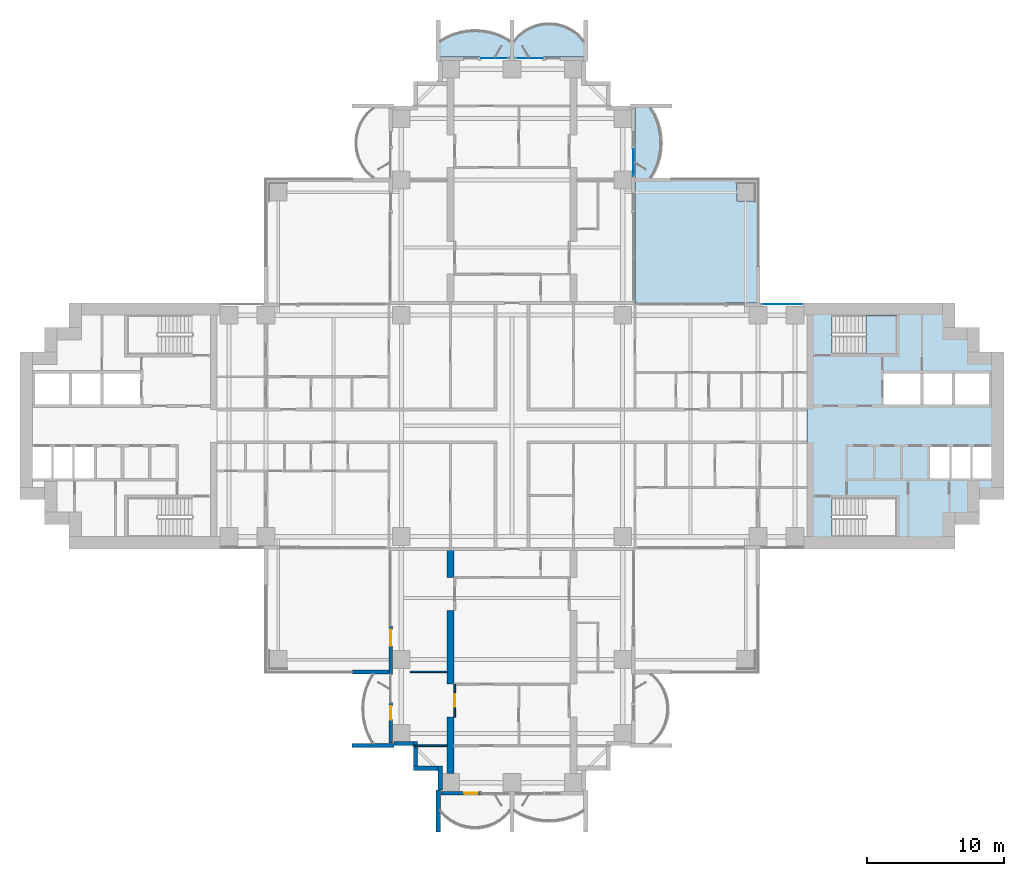
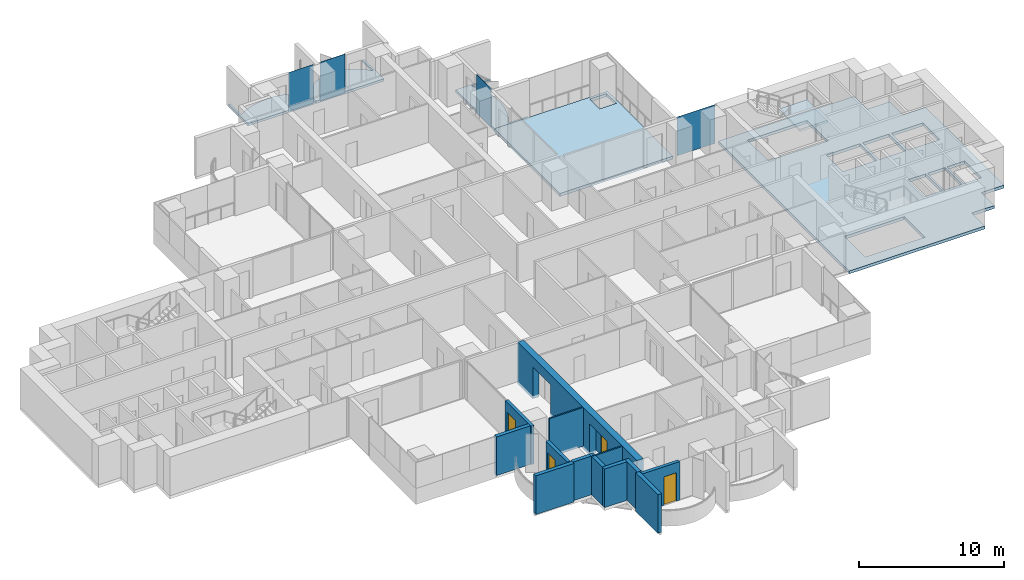
# One storey, part 9 of 20: 14 walls, 6 slabs, 4 doors, 4 plates, 4 openings, 5 elements without a shape of their own.
"""IFC4 building model written with IfcOpenShell, lengths in metres."""

from ifc_helpers import new_model, si_unit, direction, frame, frame_2d, origin, origin_2d, place, context, subcontext, project, spatial, polyline, rectangle, outline, extrude, material, layer, layer_set, material_profile, profile_set, type_object, element, fill, aggregate, save


model = new_model("IFC4")

# Units and contexts
model_context = context("Model", 3, precision=1e-05, world=origin(), true_north=direction((0.0, 1.0)))
body_context = subcontext(model_context, "Body", "Model", "MODEL_VIEW")
ifc_project = project(units=[si_unit("LENGTHUNIT", "METRE"), si_unit("AREAUNIT", "SQUARE_METRE"), si_unit("VOLUMEUNIT", "CUBIC_METRE"), si_unit("PLANEANGLEUNIT", "RADIAN"), si_unit("MASSUNIT", "GRAM", prefix="KILO")], contexts=[model_context])

# Site, building, storey
site_placement = place(None, origin())
site = spatial("IfcSite", under=ifc_project, at=site_placement, CompositionType="ELEMENT")
building_placement = place(site_placement, origin())
building = spatial("IfcBuilding", under=site, at=building_placement, Name="Perihelion Cross Residences", CompositionType="ELEMENT")
storey_placement = place(building_placement, frame((0.0, 0.0, 82.0)))
storey = spatial("IfcBuildingStorey", under=building, at=storey_placement, Name="L18", CompositionType="ELEMENT", Elevation=82.0)

# Slabs
ifc_material_1 = material(Name="Concrete C40/50", Category="concrete")
ifc_layer_1 = layer(ifc_material_1, 0.199951171875)
ifc_layer_set_1 = layer_set([ifc_layer_1], Name="Balcony slab 200")
slab_type_1 = type_object("IfcSlabType", Name="Balcony slab 200", PredefinedType="FLOOR", material=ifc_layer_set_1)
slab_1_placement = place(storey_placement, frame((0.0, 0.0, -0.199951171875)))
element("IfcSlab", 1, at=slab_1_placement, inside=storey, type_object=slab_type_1, Name="Slab BK1 L18 north side east bay 2 balcony", PredefinedType="FLOOR", context=body_context, shape_type="SweptSolid", body=[
    extrude(outline(polyline([(9.0, 18.0), (9.0, 23.39990234375), (11.699951171875, 23.39990234375), (11.699951171875, 23.25), (10.199951171875, 23.25), (10.4853515625, 22.739990234375), (10.694580078125, 22.22998046875), (10.838134765625, 21.719970703125), (10.92236328125, 21.2099609375), (10.949951171875, 20.699951171875), (10.92236328125, 20.18994140625), (10.838134765625, 19.679931640625), (10.694580078125, 19.169921875), (10.4853515625, 18.659912109375), (10.199951171875, 18.14990234375), (11.699951171875, 18.14990234375), (11.699951171875, 18.0), (9.0, 18.0)])), origin(), (0.0, 0.0, 1.0), 0.199951171875),
])
slab_2_placement = place(storey_placement, frame((0.0, 0.0, -0.199951171875)))
element("IfcSlab", 2, at=slab_2_placement, inside=storey, type_object=slab_type_1, Name="Slab BK1 L18 north tip north bay 1 balcony", PredefinedType="FLOOR", context=body_context, shape_type="SweptSolid", body=[
    extrude(outline(polyline([(5.39990234375, 27.0), (0.0, 27.0), (0.0, 29.699951171875), (0.14990234375, 29.699951171875), (0.14990234375, 28.199951171875), (0.542236328125, 28.622314453125), (0.9345703125, 28.924072265625), (1.326904296875, 29.143310546875), (1.71923828125, 29.29736328125), (2.111572265625, 29.39599609375), (2.50390625, 29.444091796875), (2.896240234375, 29.444091796875), (3.28857421875, 29.39599609375), (3.6806640625, 29.29736328125), (4.072998046875, 29.143310546875), (4.46533203125, 28.924072265625), (4.857666015625, 28.622314453125), (5.25, 28.199951171875), (5.25, 29.699951171875), (5.39990234375, 29.699951171875), (5.39990234375, 27.0)])), origin(), (0.0, 0.0, 1.0), 0.199951171875),
])
slab_3_placement = place(storey_placement, frame((0.0, 0.0, -0.199951171875)))
element("IfcSlab", 3, at=slab_3_placement, inside=storey, type_object=slab_type_1, Name="Slab BK1 L18 north tip north bay 2 balcony", PredefinedType="FLOOR", context=body_context, shape_type="SweptSolid", body=[
    extrude(outline(polyline([(0.0, 27.0), (-5.39990234375, 27.0), (-5.39990234375, 29.699951171875), (-5.25, 29.699951171875), (-5.25, 28.199951171875), (-4.739990234375, 28.4853515625), (-4.22998046875, 28.694580078125), (-3.719970703125, 28.838134765625), (-3.2099609375, 28.92236328125), (-2.699951171875, 28.949951171875), (-2.18994140625, 28.92236328125), (-1.679931640625, 28.838134765625), (-1.169921875, 28.694580078125), (-0.659912109375, 28.4853515625), (-0.14990234375, 28.199951171875), (-0.14990234375, 29.699951171875), (0.0, 29.699951171875), (0.0, 27.0)])), origin(), (0.0, 0.0, 1.0), 0.199951171875),
])

# Curtain wall, plate
ifc_material_2 = material(Name="Bronze anodised aluminium, tinted glazing", Category="aluminium")
curtain_wall_type = type_object("IfcCurtainWallType", Name="CW1", PredefinedType="NOTDEFINED", material=ifc_material_2)
curtain_wall_1_placement = place(storey_placement, origin())
curtain_wall_1 = element("IfcCurtainWall", 4, at=curtain_wall_1_placement, inside=storey, type_object=curtain_wall_type, Name="Curtain wall CW1 L18 east side north bay 1", PredefinedType="NOTDEFINED")
ifc_material_3 = material(Name="Tinted laminated glass", Category="glass")
ifc_layer_2 = layer(ifc_material_3, 0.028076171875)
ifc_layer_set_2 = layer_set([ifc_layer_2], Name="CW1 panel")
plate_type = type_object("IfcPlateType", Name="CW1 panel", PredefinedType="CURTAIN_PANEL", material=ifc_layer_set_2)
plate_1_placement = place(storey_placement, frame((19.77490234375, 8.89990234375, 0.0), z_axis=(0.0, 0.0, 1.0), x_axis=(-1.0, 0.0, 0.0)))
plate_1 = element("IfcPlate", 5, at=plate_1_placement, type_object=plate_type, Name="CW1 panel 1", PredefinedType="CURTAIN_PANEL", context=body_context, shape_type="SweptSolid", body=[
    extrude(rectangle(XDim=3.030029296875, YDim=0.028076171875, at=origin_2d()), origin(), (0.0, 0.0, 1.0), 3.25),
])
aggregate(curtain_wall_1, [plate_1])

curtain_wall_2_placement = place(storey_placement, origin())
curtain_wall_2 = element("IfcCurtainWall", 6, at=curtain_wall_2_placement, inside=storey, type_object=curtain_wall_type, Name="Curtain wall CW1 L18 north side east bay 2", PredefinedType="NOTDEFINED")
plate_2_placement = place(storey_placement, frame((8.89990234375, 19.2548828125, 0.0), z_axis=(0.0, 0.0, 1.0), x_axis=(0.0, 1.0, 0.0)))
plate_2 = element("IfcPlate", 7, at=plate_2_placement, type_object=plate_type, Name="CW1 panel 1", PredefinedType="CURTAIN_PANEL", context=body_context, shape_type="SweptSolid", body=[
    extrude(rectangle(XDim=1.989990234375, YDim=0.028076171875, at=origin_2d()), origin(), (0.0, 0.0, 1.0), 3.25),
])
aggregate(curtain_wall_2, [plate_2])

curtain_wall_3_placement = place(storey_placement, origin())
curtain_wall_3 = element("IfcCurtainWall", 8, at=curtain_wall_3_placement, inside=storey, type_object=curtain_wall_type, Name="Curtain wall CW1 L18 north tip north bay 1", PredefinedType="NOTDEFINED")
plate_3_placement = place(storey_placement, frame((1.2548828125, 26.89990234375, 0.0), z_axis=(0.0, 0.0, 1.0), x_axis=(-1.0, 0.0, 0.0)))
plate_3 = element("IfcPlate", 9, at=plate_3_placement, type_object=plate_type, Name="CW1 panel 1", PredefinedType="CURTAIN_PANEL", context=body_context, shape_type="SweptSolid", body=[
    extrude(rectangle(XDim=1.989990234375, YDim=0.028076171875, at=origin_2d()), origin(), (0.0, 0.0, 1.0), 3.25),
])
aggregate(curtain_wall_3, [plate_3])

curtain_wall_4_placement = place(storey_placement, origin())
curtain_wall_4 = element("IfcCurtainWall", 10, at=curtain_wall_4_placement, inside=storey, type_object=curtain_wall_type, Name="Curtain wall CW1 L18 north tip north bay 2", PredefinedType="NOTDEFINED")
plate_4_placement = place(storey_placement, frame((-1.2548828125, 26.89990234375, 0.0), z_axis=(0.0, 0.0, 1.0), x_axis=(-1.0, 0.0, 0.0)))
plate_4 = element("IfcPlate", 11, at=plate_4_placement, type_object=plate_type, Name="CW1 panel 1", PredefinedType="CURTAIN_PANEL", context=body_context, shape_type="SweptSolid", body=[
    extrude(rectangle(XDim=1.989990234375, YDim=0.028076171875, at=origin_2d()), origin(), (0.0, 0.0, 1.0), 3.25),
])
aggregate(curtain_wall_4, [plate_4])

# Slabs
ifc_material_4 = material(Name="Concrete C40/50", Category="concrete")
ifc_layer_3 = layer(ifc_material_4, 0.25)
ifc_layer_set_3 = layer_set([ifc_layer_3], Name="Core floor slab 250")
slab_type_2 = type_object("IfcSlabType", Name="Core floor slab 250", PredefinedType="FLOOR", material=ifc_layer_set_3)
slab_4_placement = place(storey_placement, frame((0.0, 0.0, -0.25)))
element("IfcSlab", 12, at=slab_4_placement, inside=storey, type_object=slab_type_2, Name="East core floor slab", PredefinedType="FLOOR", context=body_context, shape_type="SweptSolid", body=[
    extrude(outline(polyline([(32.39990234375, 7.199951171875), (34.199951171875, 7.199951171875), (34.199951171875, 5.39990234375), (36.0, 5.39990234375), (36.0, -5.39990234375), (34.199951171875, -5.39990234375), (34.199951171875, -7.199951171875), (32.39990234375, -7.199951171875), (32.39990234375, -9.0), (21.60009765625, -9.0), (21.60009765625, 9.0), (32.39990234375, 9.0), (32.39990234375, 7.199951171875)]), holes=[polyline([(23.405029296875, -8.10009765625), (28.14990234375, -8.10009765625), (28.14990234375, -5.25), (23.405029296875, -5.25), (23.405029296875, -8.10009765625)]), polyline([(30.60009765625, -1.550048828125), (30.60009765625, -3.85009765625), (32.0, -3.85009765625), (32.0, -1.550048828125), (30.60009765625, -1.550048828125)]), polyline([(32.14990234375, -1.550048828125), (32.14990234375, -3.85009765625), (33.550048828125, -3.85009765625), (33.550048828125, -1.550048828125), (32.14990234375, -1.550048828125)]), polyline([(33.699951171875, -1.550048828125), (33.699951171875, -3.85009765625), (35.10009765625, -3.85009765625), (35.10009765625, -1.550048828125), (33.699951171875, -1.550048828125)]), polyline([(27.199951171875, 3.85009765625), (27.199951171875, 1.550048828125), (29.89990234375, 1.550048828125), (29.89990234375, 3.85009765625), (27.199951171875, 3.85009765625)]), polyline([(30.10009765625, 3.85009765625), (30.10009765625, 1.550048828125), (32.199951171875, 1.550048828125), (32.199951171875, 3.85009765625), (30.10009765625, 3.85009765625)]), polyline([(32.39990234375, 3.85009765625), (32.39990234375, 1.550048828125), (34.89990234375, 1.550048828125), (34.89990234375, 3.85009765625), (32.39990234375, 3.85009765625)]), polyline([(23.405029296875, 5.25), (28.14990234375, 5.25), (28.14990234375, 8.10009765625), (23.405029296875, 8.10009765625), (23.405029296875, 5.25)])]), origin(), (0.0, 0.0, 1.0), 0.25),
])
ifc_material_5 = material(Name="Concrete C40/50", Category="concrete")
ifc_layer_4 = layer(ifc_material_5, 0.25)
ifc_layer_set_4 = layer_set([ifc_layer_4], Name="Corner terrace slab")
slab_type_3 = type_object("IfcSlabType", Name="Corner terrace slab", PredefinedType="FLOOR", material=ifc_layer_set_4)
slab_5_placement = place(storey_placement, frame((0.0, 0.0, -0.25)))
element("IfcSlab", 13, at=slab_5_placement, inside=storey, type_object=slab_type_3, Name="Slab BK2 L18 pocket north-east", PredefinedType="FLOOR", context=body_context, shape_type="SweptSolid", body=[
    extrude(outline(polyline([(18.0, 9.0), (18.0, 18.0), (9.0, 18.0), (9.0, 9.0), (18.0, 9.0)]), holes=[polyline([(16.449951171875, 16.449951171875), (16.449951171875, 17.7900390625), (17.7900390625, 17.7900390625), (17.7900390625, 16.409912109375), (17.75, 16.409912109375), (17.75, 16.449951171875), (16.449951171875, 16.449951171875)])]), origin(), (0.0, 0.0, 1.0), 0.25),
])

# Stair, slab
ifc_material_6 = material(Name="Concrete C40/50", Category="concrete")
stair_type = type_object("IfcStairType", Name="Exit stair, half-turn", PredefinedType="HALF_TURN_STAIR", material=ifc_material_6)
stair_placement = place(storey_placement, origin())
stair = element("IfcStair", 14, at=stair_placement, inside=storey, type_object=stair_type, Name="L18 East core exit stair 1", PredefinedType="HALF_TURN_STAIR")
ifc_material_7 = material(Name="Concrete C40/50", Category="concrete")
ifc_layer_5 = layer(ifc_material_7, 0.199951171875)
ifc_layer_set_5 = layer_set([ifc_layer_5], Name="Exit stair landing 200")
slab_type_4 = type_object("IfcSlabType", Name="Exit stair landing 200", PredefinedType="LANDING", material=ifc_layer_set_5)
slab_6_placement = place(storey_placement, frame((0.0, 0.0, 1.550048828125)))
slab_6 = element("IfcSlab", 15, at=slab_6_placement, type_object=slab_type_4, Name="ST-E1 landing 1", PredefinedType="LANDING", context=body_context, shape_type="SweptSolid", body=[
    extrude(outline(polyline([(25.919921875, 5.25), (28.14990234375, 5.25), (28.14990234375, 8.10009765625), (25.919921875, 8.10009765625), (25.919921875, 5.25)])), origin(), (0.0, 0.0, 1.0), 0.199951171875),
])
aggregate(stair, [slab_6])

# Wall, opening, door
ifc_material_8 = material(Name="Concrete C30/37, bronze-clad", Category="concrete")
ifc_layer_6 = layer(ifc_material_8, 0.25)
ifc_layer_set_6 = layer_set([ifc_layer_6], Name="Bronze-clad pier wall 250")
wall_type_1 = type_object("IfcWallType", Name="Bronze-clad pier wall 250", PredefinedType="SOLIDWALL", material=ifc_layer_set_6)
wall_1_placement = place(storey_placement, frame((-8.875, -14.64990234375, 0.0), z_axis=(0.0, 0.0, 1.0), x_axis=(0.0, -1.0, 0.0)))
wall_1 = element("IfcWall", 16, at=wall_1_placement, inside=storey, type_object=wall_type_1, Name="Wall FW1 L18 south side west bay 1 pier", PredefinedType="SOLIDWALL", context=body_context, shape_type="SweptSolid", body=[
    extrude(rectangle(XDim=3.550048828125, YDim=0.25, at=frame_2d((1.77490234375, 0.0))), origin(), (0.0, 0.0, 1.0), 3.25),
])
opening_1_placement = place(wall_1_placement, frame((0.25, 0.0, 0.0)))
opening_1 = element("IfcOpeningElement", 17, at=opening_1_placement, cuts=wall_1, Name="Opening L18.E10", PredefinedType="OPENING", context=body_context, shape_type="SweptSolid", body=[
    extrude(rectangle(XDim=1.199951171875, YDim=2.39990234375, at=frame_2d((0.60009765625, 1.199951171875))), frame((0.0, 0.135009765625, 0.0), z_axis=(0.0, -1.0, 0.0), x_axis=(1.0, 0.0, 0.0)), (0.0, 0.0, 1.0), 0.27001953125),
])
ifc_material_9 = material(Name="Bronze anodised aluminium, glazed", Category="aluminium")
door_type_1 = type_object("IfcDoorType", Name="Balcony door 1200 x 2400", OperationType="NOTDEFINED", PredefinedType="DOOR", material=ifc_material_9)
door_1_placement = place(opening_1_placement, origin())
door_1 = element("IfcDoor", 18, at=door_1_placement, inside=storey, type_object=door_type_1, Name="Door L18.E10 south side west bay 1", OperationType="SINGLE_SWING_LEFT", OverallHeight=2.39990234375, OverallWidth=1.199951171875, PredefinedType="DOOR", context=body_context, shape_type="SweptSolid", body=[
    extrude(rectangle(XDim=1.199951171875, YDim=2.39990234375, at=frame_2d((0.60009765625, 1.199951171875))), frame((0.0, 0.02490234375, 0.0), z_axis=(0.0, -1.0, 0.0), x_axis=(1.0, 0.0, 0.0)), (0.0, 0.0, 1.0), 0.050048828125),
])
fill(opening_1, door_1)

wall_2_placement = place(storey_placement, frame((-8.875, -20.25, 0.0), z_axis=(0.0, 0.0, 1.0), x_axis=(0.0, -1.0, 0.0)))
wall_2 = element("IfcWall", 19, at=wall_2_placement, inside=storey, type_object=wall_type_1, Name="Wall FW1 L18 south side west bay 2 pier", PredefinedType="SOLIDWALL", context=body_context, shape_type="SweptSolid", body=[
    extrude(rectangle(XDim=2.949951171875, YDim=0.25, at=frame_2d((1.47509765625, 0.0))), origin(), (0.0, 0.0, 1.0), 3.25),
])
opening_2_placement = place(wall_2_placement, frame((0.25, 0.0, 0.0)))
opening_2 = element("IfcOpeningElement", 20, at=opening_2_placement, cuts=wall_2, Name="Opening L18.E11", PredefinedType="OPENING", context=body_context, shape_type="SweptSolid", body=[
    extrude(rectangle(XDim=1.0, YDim=2.39990234375, at=frame_2d((0.5, 1.199951171875))), frame((0.0, 0.135009765625, 0.0), z_axis=(0.0, -1.0, 0.0), x_axis=(1.0, 0.0, 0.0)), (0.0, 0.0, 1.0), 0.27001953125),
])
ifc_material_10 = material(Name="Bronze anodised aluminium, glazed", Category="aluminium")
door_type_2 = type_object("IfcDoorType", Name="Balcony door 1000 x 2400", OperationType="NOTDEFINED", PredefinedType="DOOR", material=ifc_material_10)
door_2_placement = place(opening_2_placement, origin())
door_2 = element("IfcDoor", 21, at=door_2_placement, inside=storey, type_object=door_type_2, Name="Door L18.E11 south side west bay 2", OperationType="SINGLE_SWING_RIGHT", OverallHeight=2.39990234375, OverallWidth=1.0, PredefinedType="DOOR", context=body_context, shape_type="SweptSolid", body=[
    extrude(rectangle(XDim=1.0, YDim=2.39990234375, at=frame_2d((0.5, 1.199951171875))), frame((0.0, 0.02490234375, 0.0), z_axis=(0.0, -1.0, 0.0), x_axis=(1.0, 0.0, 0.0)), (0.0, 0.0, 1.0), 0.050048828125),
])
fill(opening_2, door_2)

wall_3_placement = place(storey_placement, frame((-5.199951171875, -26.875, 0.0), z_axis=(0.0, 0.0, 1.0), x_axis=(1.0, 0.0, 0.0)))
wall_3 = element("IfcWall", 22, at=wall_3_placement, inside=storey, type_object=wall_type_1, Name="Wall FW1 L18 south tip south bay 1 pier", PredefinedType="SOLIDWALL", context=body_context, shape_type="SweptSolid", body=[
    extrude(rectangle(XDim=2.949951171875, YDim=0.25, at=frame_2d((1.47509765625, 0.0))), origin(), (0.0, 0.0, 1.0), 3.25),
])
opening_3_placement = place(wall_3_placement, frame((1.699951171875, 0.0, 0.0)))
opening_3 = element("IfcOpeningElement", 23, at=opening_3_placement, cuts=wall_3, Name="Opening L18.E12", PredefinedType="OPENING", context=body_context, shape_type="SweptSolid", body=[
    extrude(rectangle(XDim=1.0, YDim=2.39990234375, at=frame_2d((0.5, 1.199951171875))), frame((0.0, 0.135009765625, 0.0), z_axis=(0.0, -1.0, 0.0), x_axis=(1.0, 0.0, 0.0)), (0.0, 0.0, 1.0), 0.27001953125),
])
door_3_placement = place(opening_3_placement, origin())
door_3 = element("IfcDoor", 24, at=door_3_placement, inside=storey, type_object=door_type_2, Name="Door L18.E12 south tip south bay 1", OperationType="SINGLE_SWING_LEFT", OverallHeight=2.39990234375, OverallWidth=1.0, PredefinedType="DOOR", context=body_context, shape_type="SweptSolid", body=[
    extrude(rectangle(XDim=1.0, YDim=2.39990234375, at=frame_2d((0.5, 1.199951171875))), frame((0.0, 0.02490234375, 0.0), z_axis=(0.0, -1.0, 0.0), x_axis=(1.0, 0.0, 0.0)), (0.0, 0.0, 1.0), 0.050048828125),
])
fill(opening_3, door_3)

# Walls
ifc_material_11 = material(Name="Concrete C30/37, bronze-clad", Category="concrete")
ifc_layer_7 = layer(ifc_material_11, 0.300048828125)
ifc_layer_set_7 = layer_set([ifc_layer_7], Name="Bronze-clad serration wall 300")
wall_type_2 = type_object("IfcWallType", Name="Bronze-clad serration wall 300", PredefinedType="SOLIDWALL", material=ifc_layer_set_7)
wall_4_placement = place(storey_placement, frame((-8.64990234375, -23.25, 0.0), z_axis=(0.0, 0.0, 1.0), x_axis=(1.0, 0.0, 0.0)))
element("IfcWall", 25, at=wall_4_placement, inside=storey, type_object=wall_type_2, Name="Wall SR1 L18 south corner south-west 1", PredefinedType="SOLIDWALL", context=body_context, shape_type="SweptSolid", body=[
    extrude(rectangle(XDim=1.449951171875, YDim=0.300048828125, at=frame_2d((0.72509765625, 0.0))), origin(), (0.0, 0.0, 1.0), 3.25),
])
wall_5_placement = place(storey_placement, frame((-7.050048828125, -23.10009765625, 0.0), z_axis=(0.0, 0.0, 1.0), x_axis=(0.0, -1.0, 0.0)))
element("IfcWall", 26, at=wall_5_placement, inside=storey, type_object=wall_type_2, Name="Wall SR1 L18 south corner south-west 2", PredefinedType="SOLIDWALL", context=body_context, shape_type="SweptSolid", body=[
    extrude(rectangle(XDim=1.7998046875, YDim=0.300048828125, at=frame_2d((0.89990234375, 0.0))), origin(), (0.0, 0.0, 1.0), 3.25),
])
wall_6_placement = place(storey_placement, frame((-7.199951171875, -25.050048828125, 0.0), z_axis=(0.0, 0.0, 1.0), x_axis=(1.0, 0.0, 0.0)))
element("IfcWall", 27, at=wall_6_placement, inside=storey, type_object=wall_type_2, Name="Wall SR1 L18 south corner south-west 3", PredefinedType="SOLIDWALL", context=body_context, shape_type="SweptSolid", body=[
    extrude(rectangle(XDim=1.800048828125, YDim=0.300048828125, at=frame_2d((0.89990234375, 0.0))), origin(), (0.0, 0.0, 1.0), 3.25),
])
wall_7_placement = place(storey_placement, frame((-5.25, -24.89990234375, 0.0), z_axis=(0.0, 0.0, 1.0), x_axis=(0.0, -1.0, 0.0)))
element("IfcWall", 28, at=wall_7_placement, inside=storey, type_object=wall_type_2, Name="Wall SR1 L18 south corner south-west 4", PredefinedType="SOLIDWALL", context=body_context, shape_type="SweptSolid", body=[
    extrude(rectangle(XDim=1.75, YDim=0.300048828125, at=frame_2d((0.875, 0.0))), origin(), (0.0, 0.0, 1.0), 3.25),
])

# Wall, opening, door
ifc_material_12 = material(Name="Plasterboard partition")
ifc_layer_8 = layer(ifc_material_12, 0.1201171875)
ifc_layer_set_8 = layer_set([ifc_layer_8], Name="Infill panel 120")
wall_type_3 = type_object("IfcWallType", Name="Infill panel 120", PredefinedType="PARTITIONING", material=ifc_layer_set_8)
wall_8_placement = place(storey_placement, frame((-4.18994140625, -18.89990234375, 0.0), z_axis=(0.0, 0.0, 1.0), x_axis=(0.0, -1.0, 0.0)))
wall_8 = element("IfcWall", 29, at=wall_8_placement, inside=storey, type_object=wall_type_3, Name="Partition L18 WI08", PredefinedType="PARTITIONING", context=body_context, shape_type="SweptSolid", body=[
    extrude(rectangle(XDim=2.400146484375, YDim=0.1201171875, at=frame_2d((1.2001953125, 0.0))), origin(), (0.0, 0.0, 1.0), 2.39990234375),
])
opening_4_placement = place(wall_8_placement, frame((0.75, 0.0, 0.0)))
opening_4 = element("IfcOpeningElement", 30, at=opening_4_placement, cuts=wall_8, Name="Opening L18.A56", PredefinedType="OPENING", context=body_context, shape_type="SweptSolid", body=[
    extrude(rectangle(XDim=0.89990234375, YDim=2.10009765625, at=frame_2d((0.449951171875, 1.050048828125))), frame((0.0, 0.070068359375, 0.0), z_axis=(0.0, -1.0, 0.0), x_axis=(1.0, 0.0, 0.0)), (0.0, 0.0, 1.0), 0.14013671875),
])
ifc_material_13 = material(Name="Timber door leaf", Category="wood")
door_type_3 = type_object("IfcDoorType", Name="Interior room door 900 x 2100", OperationType="SINGLE_SWING_LEFT", PredefinedType="DOOR", material=ifc_material_13)
door_4_placement = place(opening_4_placement, origin())
door_4 = element("IfcDoor", 31, at=door_4_placement, inside=storey, type_object=door_type_3, Name="Door L18.A56", OperationType="SINGLE_SWING_RIGHT", OverallHeight=2.10009765625, OverallWidth=0.89990234375, PredefinedType="DOOR", context=body_context, shape_type="SweptSolid", body=[
    extrude(rectangle(XDim=0.89990234375, YDim=2.10009765625, at=frame_2d((0.449951171875, 1.050048828125))), frame((0.0, 0.02490234375, 0.0), z_axis=(0.0, -1.0, 0.0), x_axis=(1.0, 0.0, 0.0)), (0.0, 0.0, 1.0), 0.050048828125),
])
fill(opening_4, door_4)

# Walls
ifc_material_14 = material(Name="Plasterboard partition")
ifc_layer_9 = layer(ifc_material_14, 0.1201171875)
ifc_layer_set_9 = layer_set([ifc_layer_9], Name="Partition wall 120")
wall_type_4 = type_object("IfcWallType", Name="Partition wall 120", PredefinedType="PARTITIONING", material=ifc_layer_set_9)
wall_9_placement = place(storey_placement, frame((-4.75, -18.0, 0.0), z_axis=(0.0, 0.0, 1.0), x_axis=(-1.0, 0.0, 0.0)))
element("IfcWall", 32, at=wall_9_placement, inside=storey, type_object=wall_type_4, Name="Partition L18 W072", PredefinedType="PARTITIONING", context=body_context, shape_type="SweptSolid", body=[
    extrude(rectangle(XDim=2.699951171875, YDim=0.1201171875, at=frame_2d((1.35009765625, 0.0))), origin(), (0.0, 0.0, 1.0), 3.25),
])
wall_10_placement = place(storey_placement, frame((-4.75, -23.39990234375, 0.0), z_axis=(0.0, 0.0, 1.0), x_axis=(-1.0, 0.0, 0.0)))
element("IfcWall", 33, at=wall_10_placement, inside=storey, type_object=wall_type_4, Name="Partition L18 W073", PredefinedType="PARTITIONING", context=body_context, shape_type="SweptSolid", body=[
    extrude(rectangle(XDim=2.3701171875, YDim=0.1201171875, at=frame_2d((1.18505859375, 0.0))), origin(), (0.0, 0.0, 1.0), 3.25),
])
ifc_material_15 = material(Name="Precast concrete C50/60", Category="concrete")
ifc_layer_10 = layer(ifc_material_15, 0.300048828125)
ifc_layer_set_10 = layer_set([ifc_layer_10], Name="Precast concrete C50/60 blade wall 300")
wall_type_5 = type_object("IfcWallType", Name="Precast concrete C50/60 blade wall 300", PredefinedType="SOLIDWALL", material=ifc_layer_set_10)
wall_11_placement = place(storey_placement, frame((-8.64990234375, -23.39990234375, 0.0), z_axis=(0.0, 0.0, 1.0), x_axis=(-1.0, 0.0, 0.0)))
element("IfcWall", 34, at=wall_11_placement, inside=storey, type_object=wall_type_5, Name="Wall BL1 L18 no. 6", PredefinedType="SOLIDWALL", context=body_context, shape_type="SweptSolid", body=[
    extrude(rectangle(XDim=3.050048828125, YDim=0.300048828125, at=frame_2d((1.52490234375, 0.0))), origin(), (0.0, 0.0, 1.0), 3.25),
])
wall_12_placement = place(storey_placement, frame((-9.0, -18.0, 0.0), z_axis=(0.0, 0.0, 1.0), x_axis=(-1.0, 0.0, 0.0)))
element("IfcWall", 35, at=wall_12_placement, inside=storey, type_object=wall_type_5, Name="Wall BL1 L18 no. 5", PredefinedType="SOLIDWALL", context=body_context, shape_type="SweptSolid", body=[
    extrude(rectangle(XDim=2.699951171875, YDim=0.300048828125, at=frame_2d((1.35009765625, 0.0))), origin(), (0.0, 0.0, 1.0), 3.25),
])
wall_13_placement = place(storey_placement, frame((-5.39990234375, -26.64990234375, 0.0), z_axis=(0.0, 0.0, 1.0), x_axis=(0.0, -1.0, 0.0)))
element("IfcWall", 36, at=wall_13_placement, inside=storey, type_object=wall_type_5, Name="Wall BL1 L18 no. 3", PredefinedType="SOLIDWALL", context=body_context, shape_type="SweptSolid", body=[
    extrude(rectangle(XDim=3.050048828125, YDim=0.300048828125, at=frame_2d((1.52490234375, 0.0))), origin(), (0.0, 0.0, 1.0), 3.25),
])
ifc_material_16 = material(Name="Concrete C60/75", Category="concrete")
ifc_material_profile = material_profile(ifc_material_16, outline(polyline([(0.0, 0.0), (4.14990234375, 0.0), (4.14990234375, 2.64990234375), (6.550048828125, 2.64990234375), (6.550048828125, 0.0), (11.949951171875, 0.0), (11.949951171875, 2.64990234375), (14.35009765625, 2.64990234375), (14.35009765625, 0.0), (16.449951171875, 0.0), (16.449951171875, 3.5), (0.0, 3.5), (0.0, 0.0)])), Name="Tip spine wall")
ifc_profile_set = profile_set([ifc_material_profile], Name="Concrete C60/75")
wall_type_6 = type_object("IfcWallType", Name="Tip spine wall 500 with 2 door openings 16450 long 3500 high concrete C60/75 hand A", PredefinedType="SHEAR", material=ifc_profile_set)
wall_14_placement = place(storey_placement, frame((-4.75, -25.449951171875, -0.25), z_axis=(1.0, 0.0, 0.0), x_axis=(0.0, 1.0, 0.0)))
element("IfcWall", 37, at=wall_14_placement, inside=storey, type_object=wall_type_6, Name="Shear wall SW24 L18 south west", PredefinedType="SHEAR", context=body_context, shape_type="SweptSolid", body=[
    extrude(outline(polyline([(0.0, 0.0), (4.14990234375, 0.0), (4.14990234375, 2.64990234375), (6.550048828125, 2.64990234375), (6.550048828125, 0.0), (11.949951171875, 0.0), (11.949951171875, 2.64990234375), (14.35009765625, 2.64990234375), (14.35009765625, 0.0), (16.449951171875, 0.0), (16.449951171875, 3.5), (0.0, 3.5), (0.0, 0.0)])), origin(), (0.0, 0.0, 1.0), 0.5),
])

save(model, "model.ifc")
